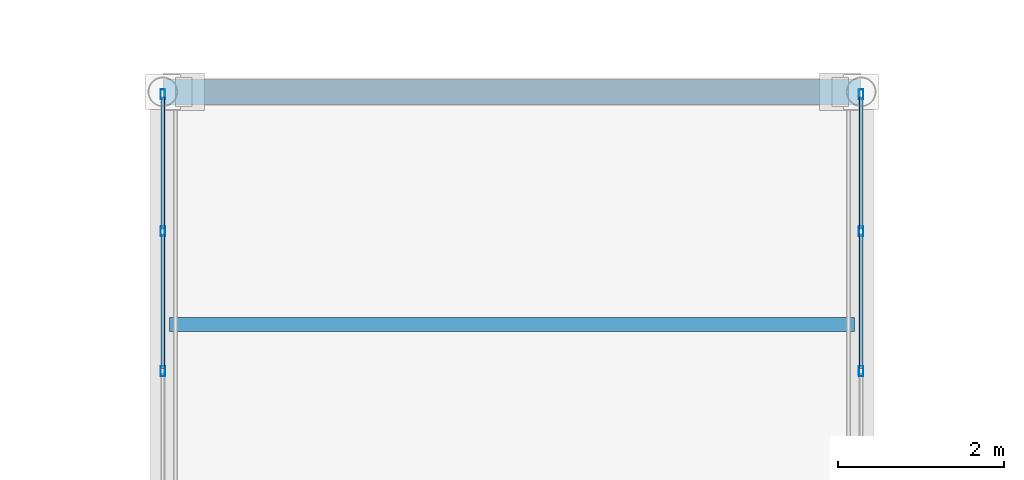
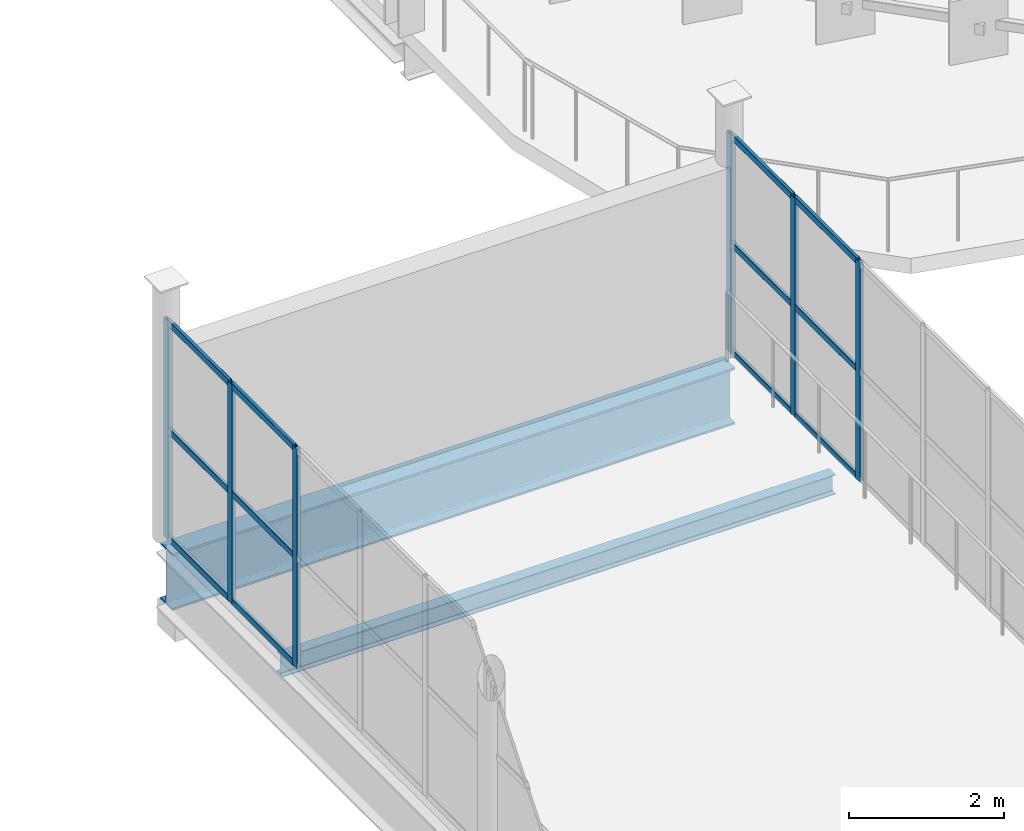
# One storey, part 114 of 184: 18 members, 2 beams, 2 elements without a shape of their own.
"""IFC4 building model written with IfcOpenShell, lengths in metres."""

from ifc_helpers import new_model, si_unit, direction, frame, origin, origin_2d, place, context, subcontext, project, spatial, hollow_rectangle, i_section, extrude, material, layer, layer_set, material_profile, profile_set, type_object, element, aggregate, save


model = new_model("IFC4")

# Units and contexts
model_context = context("Model", 3, precision=1e-05, world=origin(), true_north=direction((0.0, 1.0)))
body_context = subcontext(model_context, "Body", "Model", "MODEL_VIEW")
ifc_project = project(units=[si_unit("LENGTHUNIT", "METRE"), si_unit("AREAUNIT", "SQUARE_METRE"), si_unit("VOLUMEUNIT", "CUBIC_METRE"), si_unit("PLANEANGLEUNIT", "RADIAN"), si_unit("MASSUNIT", "GRAM", prefix="KILO")], contexts=[model_context])

# Site, building, storey
site_placement = place(None, origin())
site = spatial("IfcSite", under=ifc_project, at=site_placement, CompositionType="ELEMENT")
building_placement = place(site_placement, origin())
building = spatial("IfcBuilding", under=site, at=building_placement, Name="Qalvenar Corner Mobility Hub", CompositionType="ELEMENT")
storey_placement = place(building_placement, frame((0.0, 0.0, 9.0)))
storey = spatial("IfcBuildingStorey", under=building, at=storey_placement, Name="L02", CompositionType="ELEMENT", Elevation=9.0)

# Beams
ifc_material_1 = material(Name="Steel S355", Category="steel")
ifc_material_profile_1 = material_profile(ifc_material_1, i_section(OverallWidth=0.300048828125, OverallDepth=0.889892578125, WebThickness=0.01611328125, FlangeThickness=0.030029296875, FilletRadius=0.027099609375, at=origin_2d()), Name="HEA900")
ifc_profile_set_1 = profile_set([ifc_material_profile_1], Name="Steel S355")
beam_type_1 = type_object("IfcBeamType", Name="BM-BRG900", PredefinedType="BEAM", material=ifc_profile_set_1)
beam_1_placement = place(storey_placement, frame((50.39990234375, 67.199951171875, -0.635009765625), z_axis=(1.0, 0.0, 0.0), x_axis=(0.0, 1.0, 0.0)))
element("IfcBeam", 1, at=beam_1_placement, inside=storey, type_object=beam_type_1, Name="Court Link Bridge Girder BRG-2172", PredefinedType="BEAM", context=body_context, shape_type="SweptSolid", body=[
    extrude(i_section(OverallWidth=0.300048828125, OverallDepth=0.889892578125, WebThickness=0.01611328125, FlangeThickness=0.030029296875, FilletRadius=0.027099609375, at=origin_2d()), origin(), (0.0, 0.0, 1.0), 8.400146484375),
])
ifc_material_profile_2 = material_profile(ifc_material_1, i_section(OverallWidth=0.1650390625, OverallDepth=0.31005859375, WebThickness=0.005859375, FlangeThickness=0.009765625, FilletRadius=0.011962890625, at=origin_2d()), Name="W310x38.7")
ifc_profile_set_2 = profile_set([ifc_material_profile_2], Name="Steel S355")
beam_type_2 = type_object("IfcBeamType", Name="BM-JST310", PredefinedType="JOIST", material=ifc_profile_set_2)
beam_2_placement = place(storey_placement, frame((50.47802734375, 64.39990234375, -0.344970703125), z_axis=(1.0, 0.0, 0.0), x_axis=(0.0, 1.0, 0.0)))
element("IfcBeam", 2, at=beam_2_placement, inside=storey, type_object=beam_type_2, Name="Composite Floor Joist J-2187", PredefinedType="JOIST", context=body_context, shape_type="SweptSolid", body=[
    extrude(i_section(OverallWidth=0.1650390625, OverallDepth=0.31005859375, WebThickness=0.005859375, FlangeThickness=0.009765625, FilletRadius=0.011962890625, at=origin_2d()), origin(), (0.0, 0.0, 1.0), 8.243896484375),
])

# Curtain wall, members
ifc_material_2 = material(Name="Anodised Aluminium and Low-E Glazing", Category="aluminium")
ifc_layer = layer(ifc_material_2, 0.1201171875)
ifc_layer_set = layer_set([ifc_layer], Name="Anodised Aluminium and Low-E Glazing")
curtain_wall_type = type_object("IfcCurtainWallType", Name="CW-BRG-84X28", PredefinedType="NOTDEFINED", material=ifc_layer_set)
curtain_wall_1_placement = place(storey_placement, origin())
curtain_wall_1 = element("IfcCurtainWall", 3, at=curtain_wall_1_placement, inside=storey, type_object=curtain_wall_type, Name="Glazed Curtain Wall CW-BRG-L02-W3", PredefinedType="NOTDEFINED")
ifc_material_3 = material(Name="Anodised Aluminium 6063-T6", Category="aluminium")
ifc_material_profile_3 = material_profile(ifc_material_3, hollow_rectangle(XDim=0.054931640625, YDim=0.1201171875, WallThickness=0.00341796875, InnerFilletRadius=0.00341796875, OuterFilletRadius=0.007080078125, at=origin_2d()), Name="RHS120x55x3.5")
ifc_profile_set_3 = profile_set([ifc_material_profile_3], Name="Anodised Aluminium 6063-T6")
member_type_1 = type_object("IfcMemberType", Name="CW-MUL120", PredefinedType="MULLION", material=ifc_profile_set_3)
member_1_placement = place(storey_placement, frame((50.39990234375, 67.169921875, 0.0), z_axis=(0.0, 0.0, 1.0), x_axis=(1.0, 0.0, 0.0)))
member_1 = element("IfcMember", 4, at=member_1_placement, type_object=member_type_1, Name="CW-11 mullion 1", PredefinedType="MULLION", context=body_context, shape_type="SweptSolid", body=[
    extrude(hollow_rectangle(XDim=0.054931640625, YDim=0.1201171875, WallThickness=0.00341796875, InnerFilletRadius=0.00341796875, OuterFilletRadius=0.007080078125, at=origin_2d()), origin(), (0.0, 0.0, 1.0), 3.449951171875),
])
member_2_placement = place(storey_placement, frame((50.39990234375, 65.52001953125, 0.0), z_axis=(0.0, 0.0, 1.0), x_axis=(1.0, 0.0, 0.0)))
member_2 = element("IfcMember", 5, at=member_2_placement, type_object=member_type_1, Name="CW-11 mullion 2", PredefinedType="MULLION", context=body_context, shape_type="SweptSolid", body=[
    extrude(hollow_rectangle(XDim=0.054931640625, YDim=0.1201171875, WallThickness=0.00341796875, InnerFilletRadius=0.00341796875, OuterFilletRadius=0.007080078125, at=origin_2d()), origin(), (0.0, 0.0, 1.0), 3.449951171875),
])
member_3_placement = place(storey_placement, frame((50.39990234375, 63.840087890625, 0.0), z_axis=(0.0, 0.0, 1.0), x_axis=(1.0, 0.0, 0.0)))
member_3 = element("IfcMember", 6, at=member_3_placement, type_object=member_type_1, Name="CW-11 mullion 3", PredefinedType="MULLION", context=body_context, shape_type="SweptSolid", body=[
    extrude(hollow_rectangle(XDim=0.054931640625, YDim=0.1201171875, WallThickness=0.00341796875, InnerFilletRadius=0.00341796875, OuterFilletRadius=0.007080078125, at=origin_2d()), origin(), (0.0, 0.0, 1.0), 3.449951171875),
])

curtain_wall_2_placement = place(storey_placement, origin())
curtain_wall_2 = element("IfcCurtainWall", 7, at=curtain_wall_2_placement, inside=storey, type_object=curtain_wall_type, Name="Glazed Curtain Wall CW-BRG-L02-E3", PredefinedType="NOTDEFINED")
member_4_placement = place(storey_placement, frame((58.800048828125, 63.840087890625, 0.0), z_axis=(0.0, 0.0, 1.0), x_axis=(-1.0, 0.0, 0.0)))
member_4 = element("IfcMember", 8, at=member_4_placement, type_object=member_type_1, Name="CW-11 mullion 4", PredefinedType="MULLION", context=body_context, shape_type="SweptSolid", body=[
    extrude(hollow_rectangle(XDim=0.054931640625, YDim=0.1201171875, WallThickness=0.00341796875, InnerFilletRadius=0.00341796875, OuterFilletRadius=0.007080078125, at=origin_2d()), origin(), (0.0, 0.0, 1.0), 3.449951171875),
])
member_5_placement = place(storey_placement, frame((58.800048828125, 65.52001953125, 0.0), z_axis=(0.0, 0.0, 1.0), x_axis=(-1.0, 0.0, 0.0)))
member_5 = element("IfcMember", 9, at=member_5_placement, type_object=member_type_1, Name="CW-11 mullion 5", PredefinedType="MULLION", context=body_context, shape_type="SweptSolid", body=[
    extrude(hollow_rectangle(XDim=0.054931640625, YDim=0.1201171875, WallThickness=0.00341796875, InnerFilletRadius=0.00341796875, OuterFilletRadius=0.007080078125, at=origin_2d()), origin(), (0.0, 0.0, 1.0), 3.449951171875),
])
member_6_placement = place(storey_placement, frame((58.800048828125, 67.169921875, 0.0), z_axis=(0.0, 0.0, 1.0), x_axis=(-1.0, 0.0, 0.0)))
member_6 = element("IfcMember", 10, at=member_6_placement, type_object=member_type_1, Name="CW-11 mullion 6", PredefinedType="MULLION", context=body_context, shape_type="SweptSolid", body=[
    extrude(hollow_rectangle(XDim=0.054931640625, YDim=0.1201171875, WallThickness=0.00341796875, InnerFilletRadius=0.00341796875, OuterFilletRadius=0.007080078125, at=origin_2d()), origin(), (0.0, 0.0, 1.0), 3.449951171875),
])

# Member
ifc_material_profile_4 = material_profile(ifc_material_3, hollow_rectangle(XDim=0.050048828125, YDim=0.10009765625, WallThickness=0.0029296875, InnerFilletRadius=0.0029296875, OuterFilletRadius=0.006103515625, at=origin_2d()), Name="RHS100x50x3")
ifc_profile_set_4 = profile_set([ifc_material_profile_4], Name="Anodised Aluminium 6063-T6")
member_type_2 = type_object("IfcMemberType", Name="CW-TRN100", PredefinedType="USERDEFINED", material=ifc_profile_set_4)
member_7_placement = place(storey_placement, frame((50.39990234375, 67.139892578125, 0.027587890625), z_axis=(0.0, -1.0, 0.0), x_axis=(1.0, 0.0, 0.0)))
member_7 = element("IfcMember", 11, at=member_7_placement, type_object=member_type_2, Name="CW-11 transom 1.1", ObjectType="TRANSOM", PredefinedType="USERDEFINED", context=body_context, shape_type="SweptSolid", body=[
    extrude(hollow_rectangle(XDim=0.050048828125, YDim=0.10009765625, WallThickness=0.0029296875, InnerFilletRadius=0.0029296875, OuterFilletRadius=0.006103515625, at=origin_2d()), origin(), (0.0, 0.0, 1.0), 1.58984375),
])

member_8_placement = place(storey_placement, frame((50.39990234375, 67.139892578125, 1.72509765625), z_axis=(0.0, -1.0, 0.0), x_axis=(1.0, 0.0, 0.0)))
member_8 = element("IfcMember", 12, at=member_8_placement, type_object=member_type_2, Name="CW-11 transom 1.2", ObjectType="TRANSOM", PredefinedType="USERDEFINED", context=body_context, shape_type="SweptSolid", body=[
    extrude(hollow_rectangle(XDim=0.050048828125, YDim=0.10009765625, WallThickness=0.0029296875, InnerFilletRadius=0.0029296875, OuterFilletRadius=0.006103515625, at=origin_2d()), origin(), (0.0, 0.0, 1.0), 1.58984375),
])

member_9_placement = place(storey_placement, frame((50.39990234375, 67.139892578125, 3.422607421875), z_axis=(0.0, -1.0, 0.0), x_axis=(1.0, 0.0, 0.0)))
member_9 = element("IfcMember", 13, at=member_9_placement, type_object=member_type_2, Name="CW-11 transom 1.3", ObjectType="TRANSOM", PredefinedType="USERDEFINED", context=body_context, shape_type="SweptSolid", body=[
    extrude(hollow_rectangle(XDim=0.050048828125, YDim=0.10009765625, WallThickness=0.0029296875, InnerFilletRadius=0.0029296875, OuterFilletRadius=0.006103515625, at=origin_2d()), origin(), (0.0, 0.0, 1.0), 1.58984375),
])

member_10_placement = place(storey_placement, frame((50.39990234375, 65.489990234375, 0.027587890625), z_axis=(0.0, -1.0, 0.0), x_axis=(1.0, 0.0, 0.0)))
member_10 = element("IfcMember", 14, at=member_10_placement, type_object=member_type_2, Name="CW-11 transom 2.1", ObjectType="TRANSOM", PredefinedType="USERDEFINED", context=body_context, shape_type="SweptSolid", body=[
    extrude(hollow_rectangle(XDim=0.050048828125, YDim=0.10009765625, WallThickness=0.0029296875, InnerFilletRadius=0.0029296875, OuterFilletRadius=0.006103515625, at=origin_2d()), origin(), (0.0, 0.0, 1.0), 1.619873046875),
])

member_11_placement = place(storey_placement, frame((50.39990234375, 65.489990234375, 1.72509765625), z_axis=(0.0, -1.0, 0.0), x_axis=(1.0, 0.0, 0.0)))
member_11 = element("IfcMember", 15, at=member_11_placement, type_object=member_type_2, Name="CW-11 transom 2.2", ObjectType="TRANSOM", PredefinedType="USERDEFINED", context=body_context, shape_type="SweptSolid", body=[
    extrude(hollow_rectangle(XDim=0.050048828125, YDim=0.10009765625, WallThickness=0.0029296875, InnerFilletRadius=0.0029296875, OuterFilletRadius=0.006103515625, at=origin_2d()), origin(), (0.0, 0.0, 1.0), 1.619873046875),
])

member_12_placement = place(storey_placement, frame((50.39990234375, 65.489990234375, 3.422607421875), z_axis=(0.0, -1.0, 0.0), x_axis=(1.0, 0.0, 0.0)))
member_12 = element("IfcMember", 16, at=member_12_placement, type_object=member_type_2, Name="CW-11 transom 2.3", ObjectType="TRANSOM", PredefinedType="USERDEFINED", context=body_context, shape_type="SweptSolid", body=[
    extrude(hollow_rectangle(XDim=0.050048828125, YDim=0.10009765625, WallThickness=0.0029296875, InnerFilletRadius=0.0029296875, OuterFilletRadius=0.006103515625, at=origin_2d()), origin(), (0.0, 0.0, 1.0), 1.619873046875),
])

aggregate(curtain_wall_1, [member_1, member_2, member_3, member_7, member_8, member_9, member_10, member_11, member_12])

member_13_placement = place(storey_placement, frame((58.800048828125, 63.8701171875, 0.027587890625), z_axis=(0.0, 1.0, 0.0), x_axis=(-1.0, 0.0, 0.0)))
member_13 = element("IfcMember", 17, at=member_13_placement, type_object=member_type_2, Name="CW-11 transom 4.1", ObjectType="TRANSOM", PredefinedType="USERDEFINED", context=body_context, shape_type="SweptSolid", body=[
    extrude(hollow_rectangle(XDim=0.050048828125, YDim=0.10009765625, WallThickness=0.0029296875, InnerFilletRadius=0.0029296875, OuterFilletRadius=0.006103515625, at=origin_2d()), origin(), (0.0, 0.0, 1.0), 1.619873046875),
])

member_14_placement = place(storey_placement, frame((58.800048828125, 63.8701171875, 1.72509765625), z_axis=(0.0, 1.0, 0.0), x_axis=(-1.0, 0.0, 0.0)))
member_14 = element("IfcMember", 18, at=member_14_placement, type_object=member_type_2, Name="CW-11 transom 4.2", ObjectType="TRANSOM", PredefinedType="USERDEFINED", context=body_context, shape_type="SweptSolid", body=[
    extrude(hollow_rectangle(XDim=0.050048828125, YDim=0.10009765625, WallThickness=0.0029296875, InnerFilletRadius=0.0029296875, OuterFilletRadius=0.006103515625, at=origin_2d()), origin(), (0.0, 0.0, 1.0), 1.619873046875),
])

member_15_placement = place(storey_placement, frame((58.800048828125, 63.8701171875, 3.422607421875), z_axis=(0.0, 1.0, 0.0), x_axis=(-1.0, 0.0, 0.0)))
member_15 = element("IfcMember", 19, at=member_15_placement, type_object=member_type_2, Name="CW-11 transom 4.3", ObjectType="TRANSOM", PredefinedType="USERDEFINED", context=body_context, shape_type="SweptSolid", body=[
    extrude(hollow_rectangle(XDim=0.050048828125, YDim=0.10009765625, WallThickness=0.0029296875, InnerFilletRadius=0.0029296875, OuterFilletRadius=0.006103515625, at=origin_2d()), origin(), (0.0, 0.0, 1.0), 1.619873046875),
])

member_16_placement = place(storey_placement, frame((58.800048828125, 65.550048828125, 0.027587890625), z_axis=(0.0, 1.0, 0.0), x_axis=(-1.0, 0.0, 0.0)))
member_16 = element("IfcMember", 20, at=member_16_placement, type_object=member_type_2, Name="CW-11 transom 5.1", ObjectType="TRANSOM", PredefinedType="USERDEFINED", context=body_context, shape_type="SweptSolid", body=[
    extrude(hollow_rectangle(XDim=0.050048828125, YDim=0.10009765625, WallThickness=0.0029296875, InnerFilletRadius=0.0029296875, OuterFilletRadius=0.006103515625, at=origin_2d()), origin(), (0.0, 0.0, 1.0), 1.58984375),
])

member_17_placement = place(storey_placement, frame((58.800048828125, 65.550048828125, 1.72509765625), z_axis=(0.0, 1.0, 0.0), x_axis=(-1.0, 0.0, 0.0)))
member_17 = element("IfcMember", 21, at=member_17_placement, type_object=member_type_2, Name="CW-11 transom 5.2", ObjectType="TRANSOM", PredefinedType="USERDEFINED", context=body_context, shape_type="SweptSolid", body=[
    extrude(hollow_rectangle(XDim=0.050048828125, YDim=0.10009765625, WallThickness=0.0029296875, InnerFilletRadius=0.0029296875, OuterFilletRadius=0.006103515625, at=origin_2d()), origin(), (0.0, 0.0, 1.0), 1.58984375),
])

member_18_placement = place(storey_placement, frame((58.800048828125, 65.550048828125, 3.422607421875), z_axis=(0.0, 1.0, 0.0), x_axis=(-1.0, 0.0, 0.0)))
member_18 = element("IfcMember", 22, at=member_18_placement, type_object=member_type_2, Name="CW-11 transom 5.3", ObjectType="TRANSOM", PredefinedType="USERDEFINED", context=body_context, shape_type="SweptSolid", body=[
    extrude(hollow_rectangle(XDim=0.050048828125, YDim=0.10009765625, WallThickness=0.0029296875, InnerFilletRadius=0.0029296875, OuterFilletRadius=0.006103515625, at=origin_2d()), origin(), (0.0, 0.0, 1.0), 1.58984375),
])

aggregate(curtain_wall_2, [member_4, member_5, member_6, member_13, member_14, member_15, member_16, member_17, member_18])

save(model, "model.ifc")
